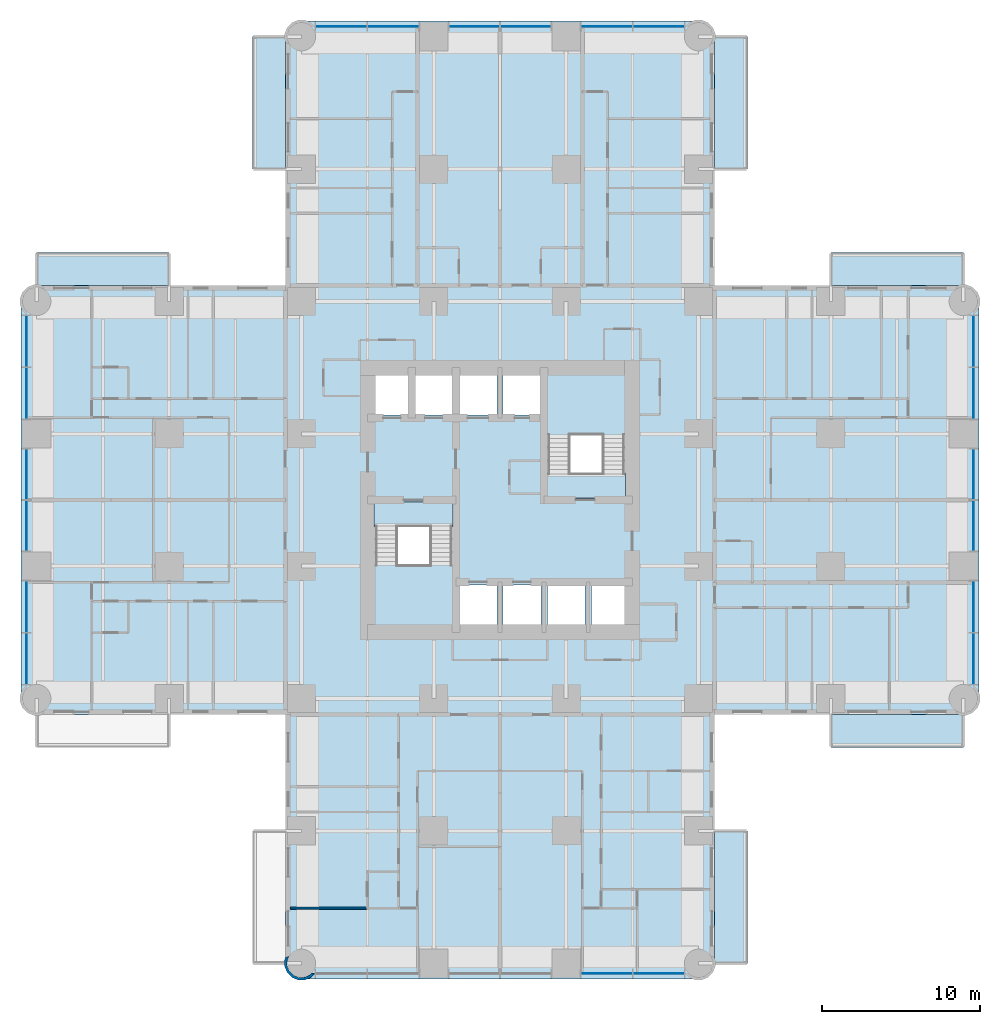
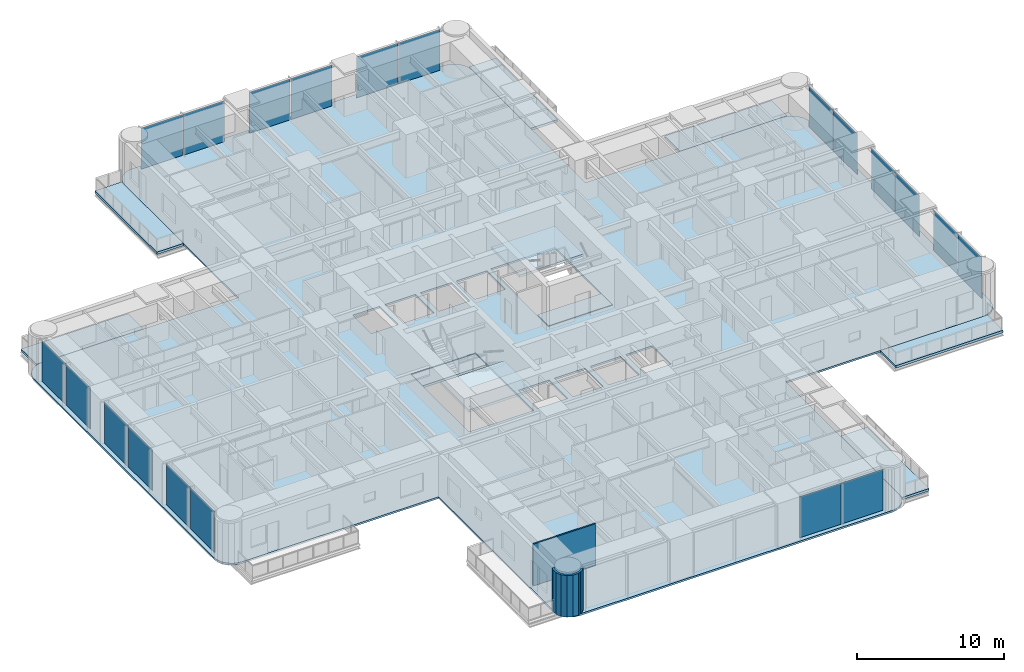
# One storey, part 6 of 17: 20 plates, 11 slabs, 2 walls, 6 elements without a shape of their own.
"""IFC4 building model written with IfcOpenShell, lengths in metres."""

from ifc_helpers import new_model, si_unit, direction, frame, frame_2d, origin, origin_2d, place, context, subcontext, project, spatial, polyline, rectangle, outline, extrude, material, layer, layer_set, type_object, element, aggregate, save


model = new_model("IFC4")

# Units and contexts
model_context = context("Model", 3, precision=1e-05, world=origin(), true_north=direction((0.0, 1.0)))
body_context = subcontext(model_context, "Body", "Model", "MODEL_VIEW")
ifc_project = project(units=[si_unit("LENGTHUNIT", "METRE"), si_unit("AREAUNIT", "SQUARE_METRE"), si_unit("VOLUMEUNIT", "CUBIC_METRE"), si_unit("PLANEANGLEUNIT", "RADIAN"), si_unit("MASSUNIT", "GRAM", prefix="KILO")], contexts=[model_context])

# Site, building, storey
site_placement = place(None, origin())
site = spatial("IfcSite", under=ifc_project, at=site_placement, CompositionType="ELEMENT")
building_placement = place(site_placement, origin())
building = spatial("IfcBuilding", under=site, at=building_placement, Name="Torre Alcanfor", CompositionType="ELEMENT")
storey_placement = place(building_placement, frame((0.0, 0.0, 92.10009765625)))
storey = spatial("IfcBuildingStorey", under=building, at=storey_placement, Name="L23", CompositionType="ELEMENT", Elevation=92.10009765625)

# Slabs
ifc_material_1 = material(Name="Concrete f'c 35 MPa", Category="concrete")
ifc_layer_1 = layer(ifc_material_1, 0.199951171875)
ifc_layer_set_1 = layer_set([ifc_layer_1], Name="Balcony slab 200")
slab_type_1 = type_object("IfcSlabType", Name="Balcony slab 200", PredefinedType="FLOOR", material=ifc_layer_set_1)
slab_1_placement = place(storey_placement, frame((0.0, 0.0, -0.2001953125)))
element("IfcSlab", 1, at=slab_1_placement, inside=storey, type_object=slab_type_1, Name="Balcony L23-N1", PredefinedType="FLOOR", context=body_context, shape_type="SweptSolid", body=[
    extrude(outline(polyline([(15.800048828125, 50.39990234375), (15.800048828125, 58.800048828125), (13.699951171875, 58.800048828125), (13.699951171875, 50.39990234375), (15.800048828125, 50.39990234375)])), origin(), (0.0, 0.0, 1.0), 0.2001953125),
])
slab_2_placement = place(storey_placement, frame((0.0, 0.0, -0.2001953125)))
element("IfcSlab", 2, at=slab_2_placement, inside=storey, type_object=slab_type_1, Name="Balcony L23-N2", PredefinedType="FLOOR", context=body_context, shape_type="SweptSolid", body=[
    extrude(outline(polyline([(45.10009765625, 50.39990234375), (45.10009765625, 58.800048828125), (43.0, 58.800048828125), (43.0, 50.39990234375), (45.10009765625, 50.39990234375)])), origin(), (0.0, 0.0, 1.0), 0.2001953125),
])
slab_3_placement = place(storey_placement, frame((0.0, 0.0, -0.2001953125)))
element("IfcSlab", 3, at=slab_3_placement, inside=storey, type_object=slab_type_1, Name="Balcony L23-E1", PredefinedType="FLOOR", context=body_context, shape_type="SweptSolid", body=[
    extrude(outline(polyline([(50.39990234375, 43.0), (58.800048828125, 43.0), (58.800048828125, 45.10009765625), (50.39990234375, 45.10009765625), (50.39990234375, 43.0)])), origin(), (0.0, 0.0, 1.0), 0.2001953125),
])
slab_4_placement = place(storey_placement, frame((0.0, 0.0, -0.2001953125)))
element("IfcSlab", 4, at=slab_4_placement, inside=storey, type_object=slab_type_1, Name="Balcony L23-E2", PredefinedType="FLOOR", context=body_context, shape_type="SweptSolid", body=[
    extrude(outline(polyline([(50.39990234375, 13.699951171875), (58.800048828125, 13.699951171875), (58.800048828125, 15.800048828125), (50.39990234375, 15.800048828125), (50.39990234375, 13.699951171875)])), origin(), (0.0, 0.0, 1.0), 0.2001953125),
])
slab_5_placement = place(storey_placement, frame((0.0, 0.0, -0.2001953125)))
element("IfcSlab", 5, at=slab_5_placement, inside=storey, type_object=slab_type_1, Name="Balcony L23-S1", PredefinedType="FLOOR", context=body_context, shape_type="SweptSolid", body=[
    extrude(outline(polyline([(43.0, 8.39990234375), (43.0, 0.0), (45.10009765625, 0.0), (45.10009765625, 8.39990234375), (43.0, 8.39990234375)])), origin(), (0.0, 0.0, 1.0), 0.2001953125),
])
slab_6_placement = place(storey_placement, frame((0.0, 0.0, -0.2001953125)))
element("IfcSlab", 6, at=slab_6_placement, inside=storey, type_object=slab_type_1, Name="Balcony L23-W2", PredefinedType="FLOOR", context=body_context, shape_type="SweptSolid", body=[
    extrude(outline(polyline([(8.39990234375, 45.10009765625), (0.0, 45.10009765625), (0.0, 43.0), (8.39990234375, 43.0), (8.39990234375, 45.10009765625)])), origin(), (0.0, 0.0, 1.0), 0.2001953125),
])

# Curtain wall, plates
ifc_material_2 = material(Name="Aluminium and glass", Category="aluminium")
curtain_wall_type = type_object("IfcCurtainWallType", Name="CW-A unitised apartment glazing with vertical FIN", PredefinedType="NOTDEFINED", material=ifc_material_2)
curtain_wall_1_placement = place(storey_placement, origin())
curtain_wall_1 = element("IfcCurtainWall", 7, at=curtain_wall_1_placement, inside=storey, type_object=curtain_wall_type, Name="Curtain wall CW-A L23 2", PredefinedType="NOTDEFINED")
ifc_material_3 = material(Name="Glass", Category="glass")
ifc_layer_2 = layer(ifc_material_3, 0.028076171875)
ifc_layer_set_2 = layer_set([ifc_layer_2], Name="CW-A clear double glazed unit")
plate_type = type_object("IfcPlateType", Name="CW-A clear double glazed unit", PredefinedType="CURTAIN_PANEL", material=ifc_layer_set_2)
plate_1_placement = place(storey_placement, frame((-0.64990234375, 39.484130859375, 0.0), z_axis=(0.0, 0.0, 1.0), x_axis=(0.0, -1.0, 0.0)))
plate_1 = element("IfcPlate", 8, at=plate_1_placement, type_object=plate_type, Name="CW-A panel 1.1.1", PredefinedType="CURTAIN_PANEL", context=body_context, shape_type="SweptSolid", body=[
    extrude(rectangle(XDim=3.232666015625, YDim=0.028076171875, at=origin_2d()), origin(), (0.0, 0.0, 1.0), 3.385009765625),
])
plate_2_placement = place(storey_placement, frame((-0.64990234375, 36.186279296875, 0.0), z_axis=(0.0, 0.0, 1.0), x_axis=(0.0, -1.0, 0.0)))
plate_2 = element("IfcPlate", 9, at=plate_2_placement, type_object=plate_type, Name="CW-A panel 1.2.1", PredefinedType="CURTAIN_PANEL", context=body_context, shape_type="SweptSolid", body=[
    extrude(rectangle(XDim=3.232666015625, YDim=0.028076171875, at=origin_2d()), origin(), (0.0, 0.0, 1.0), 3.385009765625),
])
plate_3_placement = place(storey_placement, frame((-0.64990234375, 31.03125, 0.0), z_axis=(0.0, 0.0, 1.0), x_axis=(0.0, -1.0, 0.0)))
plate_3 = element("IfcPlate", 10, at=plate_3_placement, type_object=plate_type, Name="CW-A panel 2.1.1", PredefinedType="CURTAIN_PANEL", context=body_context, shape_type="SweptSolid", body=[
    extrude(rectangle(XDim=3.197509765625, YDim=0.028076171875, at=origin_2d()), origin(), (0.0, 0.0, 1.0), 3.385009765625),
])
plate_4_placement = place(storey_placement, frame((-0.64990234375, 27.768798828125, 0.0), z_axis=(0.0, 0.0, 1.0), x_axis=(0.0, -1.0, 0.0)))
plate_4 = element("IfcPlate", 11, at=plate_4_placement, type_object=plate_type, Name="CW-A panel 2.2.1", PredefinedType="CURTAIN_PANEL", context=body_context, shape_type="SweptSolid", body=[
    extrude(rectangle(XDim=3.197509765625, YDim=0.028076171875, at=origin_2d()), origin(), (0.0, 0.0, 1.0), 3.385009765625),
])
plate_5_placement = place(storey_placement, frame((-0.64990234375, 22.613525390625, 0.0), z_axis=(0.0, 0.0, 1.0), x_axis=(0.0, -1.0, 0.0)))
plate_5 = element("IfcPlate", 12, at=plate_5_placement, type_object=plate_type, Name="CW-A panel 3.1.1", PredefinedType="CURTAIN_PANEL", context=body_context, shape_type="SweptSolid", body=[
    extrude(rectangle(XDim=3.232666015625, YDim=0.028076171875, at=origin_2d()), origin(), (0.0, 0.0, 1.0), 3.385009765625),
])
plate_6_placement = place(storey_placement, frame((-0.64990234375, 19.31591796875, 0.0), z_axis=(0.0, 0.0, 1.0), x_axis=(0.0, -1.0, 0.0)))
plate_6 = element("IfcPlate", 13, at=plate_6_placement, type_object=plate_type, Name="CW-A panel 3.2.1", PredefinedType="CURTAIN_PANEL", context=body_context, shape_type="SweptSolid", body=[
    extrude(rectangle(XDim=3.232666015625, YDim=0.028076171875, at=origin_2d()), origin(), (0.0, 0.0, 1.0), 3.385009765625),
])
aggregate(curtain_wall_1, [plate_1, plate_2, plate_3, plate_4, plate_5, plate_6])

curtain_wall_2_placement = place(storey_placement, origin())
curtain_wall_2 = element("IfcCurtainWall", 14, at=curtain_wall_2_placement, inside=storey, type_object=curtain_wall_type, Name="Curtain wall CW-A L23 5", PredefinedType="NOTDEFINED")
plate_7_placement = place(storey_placement, frame((36.186279296875, -0.64990234375, 0.0), z_axis=(0.0, 0.0, 1.0), x_axis=(1.0, 0.0, 0.0)))
plate_7 = element("IfcPlate", 15, at=plate_7_placement, type_object=plate_type, Name="CW-A panel 3.1.1", PredefinedType="CURTAIN_PANEL", context=body_context, shape_type="SweptSolid", body=[
    extrude(rectangle(XDim=3.232666015625, YDim=0.028076171875, at=origin_2d()), origin(), (0.0, 0.0, 1.0), 3.385009765625),
])
plate_8_placement = place(storey_placement, frame((39.484130859375, -0.64990234375, 0.0), z_axis=(0.0, 0.0, 1.0), x_axis=(1.0, 0.0, 0.0)))
plate_8 = element("IfcPlate", 16, at=plate_8_placement, type_object=plate_type, Name="CW-A panel 3.2.1", PredefinedType="CURTAIN_PANEL", context=body_context, shape_type="SweptSolid", body=[
    extrude(rectangle(XDim=3.232666015625, YDim=0.028076171875, at=origin_2d()), origin(), (0.0, 0.0, 1.0), 3.385009765625),
])
aggregate(curtain_wall_2, [plate_7, plate_8])

curtain_wall_3_placement = place(storey_placement, origin())
curtain_wall_3 = element("IfcCurtainWall", 17, at=curtain_wall_3_placement, inside=storey, type_object=curtain_wall_type, Name="Curtain wall CW-A L23 8", PredefinedType="NOTDEFINED")
plate_9_placement = place(storey_placement, frame((59.449951171875, 19.31591796875, 0.0), z_axis=(0.0, 0.0, 1.0), x_axis=(0.0, 1.0, 0.0)))
plate_9 = element("IfcPlate", 18, at=plate_9_placement, type_object=plate_type, Name="CW-A panel 1.1.1", PredefinedType="CURTAIN_PANEL", context=body_context, shape_type="SweptSolid", body=[
    extrude(rectangle(XDim=3.232666015625, YDim=0.028076171875, at=origin_2d()), origin(), (0.0, 0.0, 1.0), 3.385009765625),
])
plate_10_placement = place(storey_placement, frame((59.449951171875, 22.613525390625, 0.0), z_axis=(0.0, 0.0, 1.0), x_axis=(0.0, 1.0, 0.0)))
plate_10 = element("IfcPlate", 19, at=plate_10_placement, type_object=plate_type, Name="CW-A panel 1.2.1", PredefinedType="CURTAIN_PANEL", context=body_context, shape_type="SweptSolid", body=[
    extrude(rectangle(XDim=3.232666015625, YDim=0.028076171875, at=origin_2d()), origin(), (0.0, 0.0, 1.0), 3.385009765625),
])
plate_11_placement = place(storey_placement, frame((59.449951171875, 27.768798828125, 0.0), z_axis=(0.0, 0.0, 1.0), x_axis=(0.0, 1.0, 0.0)))
plate_11 = element("IfcPlate", 20, at=plate_11_placement, type_object=plate_type, Name="CW-A panel 2.1.1", PredefinedType="CURTAIN_PANEL", context=body_context, shape_type="SweptSolid", body=[
    extrude(rectangle(XDim=3.197509765625, YDim=0.028076171875, at=origin_2d()), origin(), (0.0, 0.0, 1.0), 3.385009765625),
])
plate_12_placement = place(storey_placement, frame((59.449951171875, 31.03125, 0.0), z_axis=(0.0, 0.0, 1.0), x_axis=(0.0, 1.0, 0.0)))
plate_12 = element("IfcPlate", 21, at=plate_12_placement, type_object=plate_type, Name="CW-A panel 2.2.1", PredefinedType="CURTAIN_PANEL", context=body_context, shape_type="SweptSolid", body=[
    extrude(rectangle(XDim=3.197509765625, YDim=0.028076171875, at=origin_2d()), origin(), (0.0, 0.0, 1.0), 3.385009765625),
])
plate_13_placement = place(storey_placement, frame((59.449951171875, 36.186279296875, 0.0), z_axis=(0.0, 0.0, 1.0), x_axis=(0.0, 1.0, 0.0)))
plate_13 = element("IfcPlate", 22, at=plate_13_placement, type_object=plate_type, Name="CW-A panel 3.1.1", PredefinedType="CURTAIN_PANEL", context=body_context, shape_type="SweptSolid", body=[
    extrude(rectangle(XDim=3.232666015625, YDim=0.028076171875, at=origin_2d()), origin(), (0.0, 0.0, 1.0), 3.385009765625),
])
plate_14_placement = place(storey_placement, frame((59.449951171875, 39.484130859375, 0.0), z_axis=(0.0, 0.0, 1.0), x_axis=(0.0, 1.0, 0.0)))
plate_14 = element("IfcPlate", 23, at=plate_14_placement, type_object=plate_type, Name="CW-A panel 3.2.1", PredefinedType="CURTAIN_PANEL", context=body_context, shape_type="SweptSolid", body=[
    extrude(rectangle(XDim=3.232666015625, YDim=0.028076171875, at=origin_2d()), origin(), (0.0, 0.0, 1.0), 3.385009765625),
])
aggregate(curtain_wall_3, [plate_9, plate_10, plate_11, plate_12, plate_13, plate_14])

curtain_wall_4_placement = place(storey_placement, origin())
curtain_wall_4 = element("IfcCurtainWall", 24, at=curtain_wall_4_placement, inside=storey, type_object=curtain_wall_type, Name="Curtain wall CW-A L23 11", PredefinedType="NOTDEFINED")
plate_15_placement = place(storey_placement, frame((39.484130859375, 59.449951171875, 0.0), z_axis=(0.0, 0.0, 1.0), x_axis=(-1.0, 0.0, 0.0)))
plate_15 = element("IfcPlate", 25, at=plate_15_placement, type_object=plate_type, Name="CW-A panel 1.1.1", PredefinedType="CURTAIN_PANEL", context=body_context, shape_type="SweptSolid", body=[
    extrude(rectangle(XDim=3.232666015625, YDim=0.028076171875, at=origin_2d()), origin(), (0.0, 0.0, 1.0), 3.385009765625),
])
plate_16_placement = place(storey_placement, frame((36.186279296875, 59.449951171875, 0.0), z_axis=(0.0, 0.0, 1.0), x_axis=(-1.0, 0.0, 0.0)))
plate_16 = element("IfcPlate", 26, at=plate_16_placement, type_object=plate_type, Name="CW-A panel 1.2.1", PredefinedType="CURTAIN_PANEL", context=body_context, shape_type="SweptSolid", body=[
    extrude(rectangle(XDim=3.232666015625, YDim=0.028076171875, at=origin_2d()), origin(), (0.0, 0.0, 1.0), 3.385009765625),
])
plate_17_placement = place(storey_placement, frame((31.03125, 59.449951171875, 0.0), z_axis=(0.0, 0.0, 1.0), x_axis=(-1.0, 0.0, 0.0)))
plate_17 = element("IfcPlate", 27, at=plate_17_placement, type_object=plate_type, Name="CW-A panel 2.1.1", PredefinedType="CURTAIN_PANEL", context=body_context, shape_type="SweptSolid", body=[
    extrude(rectangle(XDim=3.197509765625, YDim=0.028076171875, at=origin_2d()), origin(), (0.0, 0.0, 1.0), 3.385009765625),
])
plate_18_placement = place(storey_placement, frame((27.768798828125, 59.449951171875, 0.0), z_axis=(0.0, 0.0, 1.0), x_axis=(-1.0, 0.0, 0.0)))
plate_18 = element("IfcPlate", 28, at=plate_18_placement, type_object=plate_type, Name="CW-A panel 2.2.1", PredefinedType="CURTAIN_PANEL", context=body_context, shape_type="SweptSolid", body=[
    extrude(rectangle(XDim=3.197509765625, YDim=0.028076171875, at=origin_2d()), origin(), (0.0, 0.0, 1.0), 3.385009765625),
])
plate_19_placement = place(storey_placement, frame((22.613525390625, 59.449951171875, 0.0), z_axis=(0.0, 0.0, 1.0), x_axis=(-1.0, 0.0, 0.0)))
plate_19 = element("IfcPlate", 29, at=plate_19_placement, type_object=plate_type, Name="CW-A panel 3.1.1", PredefinedType="CURTAIN_PANEL", context=body_context, shape_type="SweptSolid", body=[
    extrude(rectangle(XDim=3.232666015625, YDim=0.028076171875, at=origin_2d()), origin(), (0.0, 0.0, 1.0), 3.385009765625),
])
plate_20_placement = place(storey_placement, frame((19.31591796875, 59.449951171875, 0.0), z_axis=(0.0, 0.0, 1.0), x_axis=(-1.0, 0.0, 0.0)))
plate_20 = element("IfcPlate", 30, at=plate_20_placement, type_object=plate_type, Name="CW-A panel 3.2.1", PredefinedType="CURTAIN_PANEL", context=body_context, shape_type="SweptSolid", body=[
    extrude(rectangle(XDim=3.232666015625, YDim=0.028076171875, at=origin_2d()), origin(), (0.0, 0.0, 1.0), 3.385009765625),
])
aggregate(curtain_wall_4, [plate_15, plate_16, plate_17, plate_18, plate_19, plate_20])

# Slab
ifc_material_4 = material(Name="Concrete f'c 35 MPa", Category="concrete")
ifc_layer_3 = layer(ifc_material_4, 0.14990234375)
ifc_layer_set_3 = layer_set([ifc_layer_3], Name="Composite floor 150 on metal deck")
slab_type_2 = type_object("IfcSlabType", Name="Composite floor 150 on metal deck", PredefinedType="FLOOR", material=ifc_layer_set_3)
slab_7_placement = place(storey_placement, frame((0.0, 0.0, -0.150146484375)))
element("IfcSlab", 31, at=slab_7_placement, inside=storey, type_object=slab_type_2, Name="Floor slab L23", PredefinedType="FLOOR", context=body_context, shape_type="SweptSolid", body=[
    extrude(outline(polyline([(15.800048828125, 43.0), (0.39990234375, 43.0), (0.03759765625, 42.952392578125), (-0.300048828125, 42.8125), (-0.58984375, 42.58984375), (-0.8125, 42.300048828125), (-0.952392578125, 41.96240234375), (-1.0, 41.60009765625), (-1.0, 17.199951171875), (-0.952392578125, 16.837646484375), (-0.8125, 16.5), (-0.58984375, 16.210205078125), (-0.300048828125, 15.987548828125), (0.03759765625, 15.84765625), (0.39990234375, 15.800048828125), (15.800048828125, 15.800048828125), (15.800048828125, 0.39990234375), (15.84765625, 0.03759765625), (15.987548828125, -0.300048828125), (16.210205078125, -0.58984375), (16.5, -0.8125), (16.837646484375, -0.952392578125), (17.199951171875, -1.0), (41.60009765625, -1.0), (41.96240234375, -0.952392578125), (42.300048828125, -0.8125), (42.58984375, -0.58984375), (42.8125, -0.300048828125), (42.952392578125, 0.03759765625), (43.0, 0.39990234375), (43.0, 15.800048828125), (58.39990234375, 15.800048828125), (58.76220703125, 15.84765625), (59.10009765625, 15.987548828125), (59.389892578125, 16.210205078125), (59.6123046875, 16.5), (59.752197265625, 16.837646484375), (59.800048828125, 17.199951171875), (59.800048828125, 41.60009765625), (59.752197265625, 41.96240234375), (59.6123046875, 42.300048828125), (59.389892578125, 42.58984375), (59.10009765625, 42.8125), (58.76220703125, 42.952392578125), (58.39990234375, 43.0), (43.0, 43.0), (43.0, 58.39990234375), (42.952392578125, 58.76220703125), (42.8125, 59.10009765625), (42.58984375, 59.389892578125), (42.300048828125, 59.6123046875), (41.96240234375, 59.752197265625), (41.60009765625, 59.800048828125), (17.199951171875, 59.800048828125), (16.837646484375, 59.752197265625), (16.5, 59.6123046875), (16.210205078125, 59.389892578125), (15.987548828125, 59.10009765625), (15.84765625, 58.76220703125), (15.800048828125, 58.39990234375), (15.800048828125, 43.0)]), holes=[polyline([(21.419921875, 21.419921875), (26.47998046875, 21.419921875), (26.47998046875, 29.280029296875), (21.419921875, 29.280029296875), (21.419921875, 21.419921875)]), polyline([(32.320068359375, 29.52001953125), (37.3798828125, 29.52001953125), (37.3798828125, 37.3798828125), (32.320068359375, 37.3798828125), (32.320068359375, 29.52001953125)]), polyline([(26.800048828125, 21.5), (29.199951171875, 21.5), (29.199951171875, 24.0), (26.800048828125, 24.0), (26.800048828125, 21.5)]), polyline([(29.60009765625, 21.5), (32.0, 21.5), (32.0, 24.0), (29.60009765625, 24.0), (29.60009765625, 21.5)]), polyline([(32.39990234375, 21.5), (34.800048828125, 21.5), (34.800048828125, 24.0), (32.39990234375, 24.0), (32.39990234375, 21.5)]), polyline([(35.199951171875, 21.5), (37.300048828125, 21.5), (37.300048828125, 24.0), (35.199951171875, 24.0), (35.199951171875, 21.5)]), polyline([(21.5, 34.800048828125), (23.60009765625, 34.800048828125), (23.60009765625, 37.300048828125), (21.5, 37.300048828125), (21.5, 34.800048828125)]), polyline([(24.0, 34.800048828125), (26.39990234375, 34.800048828125), (26.39990234375, 37.300048828125), (24.0, 37.300048828125), (24.0, 34.800048828125)]), polyline([(26.800048828125, 34.800048828125), (29.199951171875, 34.800048828125), (29.199951171875, 37.300048828125), (26.800048828125, 37.300048828125), (26.800048828125, 34.800048828125)]), polyline([(29.60009765625, 34.800048828125), (32.0, 34.800048828125), (32.0, 37.300048828125), (29.60009765625, 37.300048828125), (29.60009765625, 34.800048828125)])]), origin(), (0.0, 0.0, 1.0), 0.150146484375),
])

# Stair, slabs
ifc_material_5 = material(Name="Concrete f'c 35 MPa", Category="concrete")
stair_type_1 = type_object("IfcStairType", Name="Exit stair S1 1400 wide", PredefinedType="HALF_TURN_STAIR", material=ifc_material_5)
stair_1_placement = place(storey_placement, origin())
stair_1 = element("IfcStair", 32, at=stair_1_placement, inside=storey, type_object=stair_type_1, Name="Stair S1 L23 to L24", PredefinedType="HALF_TURN_STAIR")
ifc_material_6 = material(Name="Concrete f'c 35 MPa", Category="concrete")
ifc_layer_4 = layer(ifc_material_6, 0.199951171875)
ifc_layer_set_4 = layer_set([ifc_layer_4], Name="Stair landing 200")
slab_type_3 = type_object("IfcSlabType", Name="Stair landing 200", PredefinedType="LANDING", material=ifc_layer_set_4)
slab_8_placement = place(storey_placement, frame((0.0, 0.0, -0.2001953125)))
slab_8 = element("IfcSlab", 33, at=slab_8_placement, type_object=slab_type_3, Name="S1 landing 1", PredefinedType="LANDING", context=body_context, shape_type="SweptSolid", body=[
    extrude(outline(polyline([(21.419921875, 27.699951171875), (26.429931640625, 27.699951171875), (26.429931640625, 29.22998046875), (21.419921875, 29.22998046875), (21.419921875, 27.699951171875)])), origin(), (0.0, 0.0, 1.0), 0.2001953125),
])
slab_9_placement = place(storey_placement, frame((0.0, 0.0, 1.599853515625)))
slab_9 = element("IfcSlab", 34, at=slab_9_placement, type_object=slab_type_3, Name="S1 landing 2", PredefinedType="LANDING", context=body_context, shape_type="SweptSolid", body=[
    extrude(outline(polyline([(21.419921875, 21.419921875), (26.429931640625, 21.419921875), (26.429931640625, 25.280029296875), (21.419921875, 25.280029296875), (21.419921875, 21.419921875)])), origin(), (0.0, 0.0, 1.0), 0.199951171875),
])
aggregate(stair_1, [slab_8, slab_9])

ifc_material_7 = material(Name="Concrete f'c 35 MPa", Category="concrete")
stair_type_2 = type_object("IfcStairType", Name="Exit stair S2 1400 wide", PredefinedType="HALF_TURN_STAIR", material=ifc_material_7)
stair_2_placement = place(storey_placement, origin())
stair_2 = element("IfcStair", 35, at=stair_2_placement, inside=storey, type_object=stair_type_2, Name="Stair S2 L23 to L24", PredefinedType="HALF_TURN_STAIR")
slab_10_placement = place(storey_placement, frame((0.0, 0.0, -0.2001953125)))
slab_10 = element("IfcSlab", 36, at=slab_10_placement, type_object=slab_type_3, Name="S2 landing 1", PredefinedType="LANDING", context=body_context, shape_type="SweptSolid", body=[
    extrude(outline(polyline([(32.3701171875, 29.570068359375), (37.3798828125, 29.570068359375), (37.3798828125, 31.10009765625), (32.3701171875, 31.10009765625), (32.3701171875, 29.570068359375)])), origin(), (0.0, 0.0, 1.0), 0.2001953125),
])
slab_11_placement = place(storey_placement, frame((0.0, 0.0, 1.599853515625)))
slab_11 = element("IfcSlab", 37, at=slab_11_placement, type_object=slab_type_3, Name="S2 landing 2", PredefinedType="LANDING", context=body_context, shape_type="SweptSolid", body=[
    extrude(outline(polyline([(32.3701171875, 33.52001953125), (37.3798828125, 33.52001953125), (37.3798828125, 37.3798828125), (32.3701171875, 37.3798828125), (32.3701171875, 33.52001953125)])), origin(), (0.0, 0.0, 1.0), 0.199951171875),
])
aggregate(stair_2, [slab_10, slab_11])

# Walls
ifc_material_8 = material(Name="Gypsum board on steel studs", Category="steel")
ifc_layer_5 = layer(ifc_material_8, 0.1201171875)
ifc_layer_set_5 = layer_set([ifc_layer_5], Name="Apartment partition 120")
wall_type_1 = type_object("IfcWallType", Name="Apartment partition 120", PredefinedType="PARTITIONING", material=ifc_layer_set_5)
wall_1_placement = place(storey_placement, frame((20.970947265625, 3.5, 0.0), z_axis=(0.0, 0.0, 1.0), x_axis=(-1.0, 0.0, 0.0)))
element("IfcWall", 38, at=wall_1_placement, inside=storey, type_object=wall_type_1, Name="Partition L23-S2-MASTER / L23-S2-WGARD", PredefinedType="PARTITIONING", context=body_context, shape_type="SweptSolid", body=[
    extrude(rectangle(XDim=4.870849609375, YDim=0.1201171875, at=frame_2d((2.435546875, 0.0))), origin(), (0.0, 0.0, 1.0), 3.449951171875),
])
ifc_material_9 = material(Name="Limestone cladding", Category="masonry")
ifc_layer_6 = layer(ifc_material_9, 0.0400390625, Name="Facing")
ifc_material_10 = material(Name="Ventilated air cavity")
ifc_layer_7 = layer(ifc_material_10, 0.02001953125, ventilated=True, Name="Ventilated joint")
ifc_material_11 = material(Name="Mineral wool insulation", Category="insulation")
ifc_layer_8 = layer(ifc_material_11, 0.10009765625, Name="Insulation")
ifc_material_12 = material(Name="Concrete f'c 35 MPa", Category="concrete")
ifc_layer_9 = layer(ifc_material_12, 0.139892578125, Name="Backing")
ifc_layer_set_6 = layer_set([ifc_layer_6, ifc_layer_7, ifc_layer_8, ifc_layer_9], Name="Rounded corner pier stone-clad 300")
wall_type_2 = type_object("IfcWallType", Name="Rounded corner pier stone-clad 300", PredefinedType="SOLIDWALL", material=ifc_layer_set_6)
wall_2_placement = place(storey_placement, frame((15.890092843, 0.363962863, 0.0), z_axis=(0.0, 0.0, 1.0), x_axis=(-0.377204953059, -0.926129809145, 0.0)))
element("IfcWall", 39, at=wall_2_placement, inside=storey, type_object=wall_type_2, Name="Corner pier L23 15", PredefinedType="SOLIDWALL", context=body_context, shape_type="SweptSolid", body=[
    extrude(outline(polyline([(0.36025406326845444, 1.8033251535395152), (0.5088520451897254, 1.7407402151136773), (0.7605729288027181, 1.4858036812916837), (0.8957625945963965, 1.1538802047718164), (0.8938847377533284, 0.7953914035812757), (0.7547773157275899, 0.46510295554213366), (0.4997067670481534, 0.21306387496571194), (0.16778329052828606, 0.07787420917203358), (-0.09994023900030424, 0.0795504548732244), (0.0006804239564057041, -0.09694899646014049), (0.029999294732247404, -0.08026261581225796), (0.19856690358048068, -0.0812004843578153), (0.5888257049928043, 0.07774867310804906), (0.8888185520201115, 0.37418200048294215), (1.0525847078153452, 0.7630186897929918), (1.0551554850896743, 1.184529802966568), (0.896114236570817, 1.5750147102893275), (0.7776681844062314, 1.6949582431572732), (0.7691216165340404, 1.727592391840862), (0.7502462480266835, 1.7228043636692119), (0.599680909195924, 1.8750075573166347), (0.2945300212676607, 2.0035278056043833), (0.2809636666415082, 1.9980023424248052), (0.36025406326845444, 1.8033251535395152)])), origin(), (0.0, 0.0, 1.0), 3.449951171875),
])

save(model, "model.ifc")
